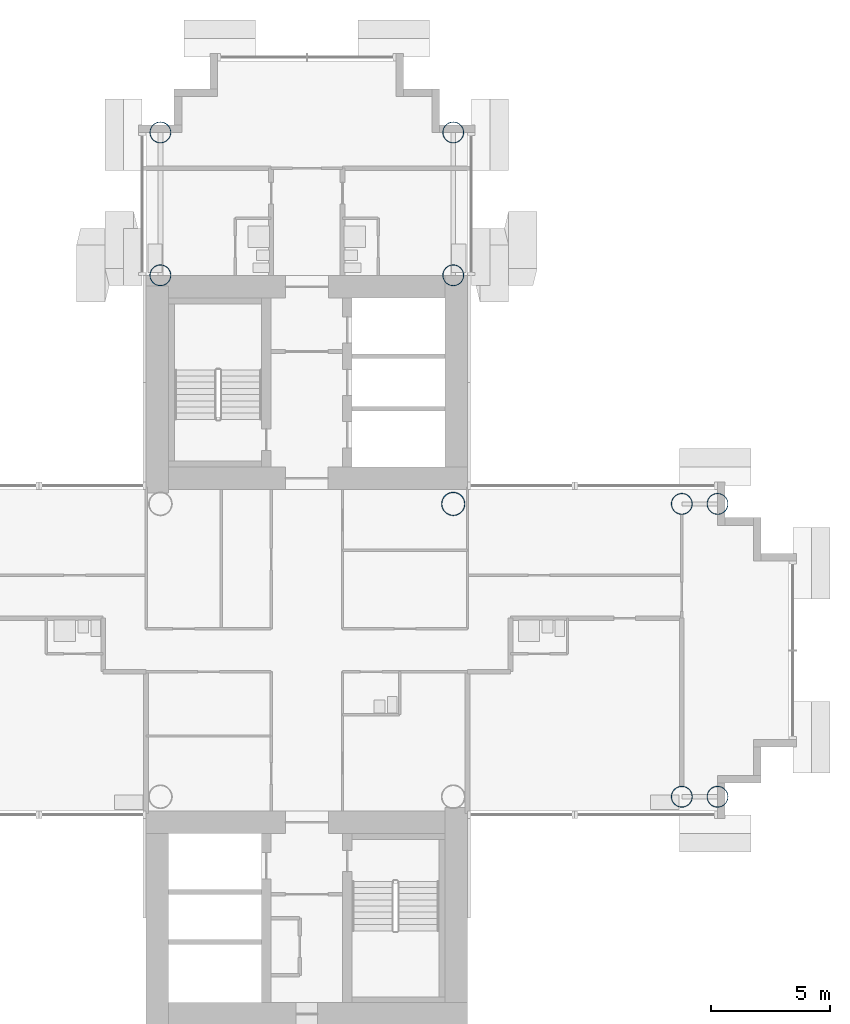
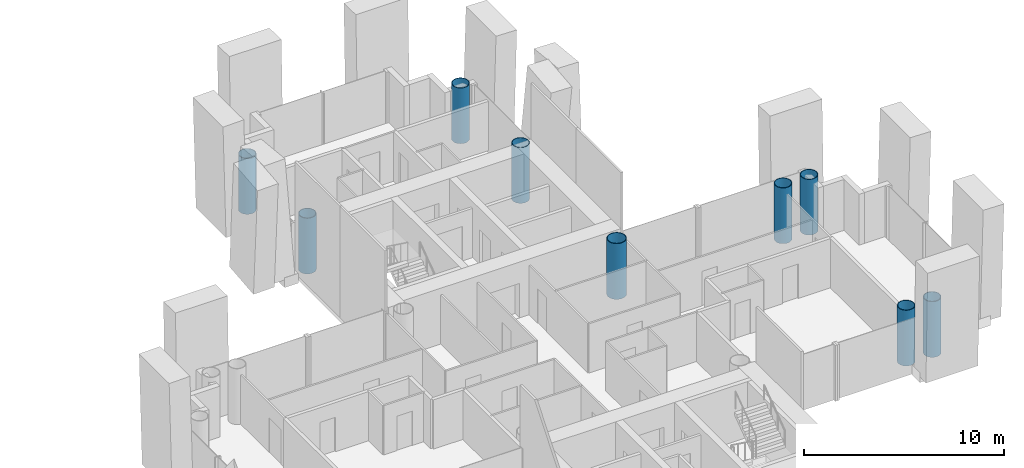
# One storey, part 2 of 20: 9 columns.
"""IFC4 building model written with IfcOpenShell, lengths in metres."""

import ifcopenshell
import ifcopenshell.guid

model = None  # the IFC model being written
_history = None  # IfcOwnerHistory: only IFC2X3 demands one
_inside = {}  # id of a spatial element -> (the spatial element, [elements in it])
_under = {}  # id of a project, library or spatial element -> (it, [spatial elements below it])
_declared = {}  # id of a project -> (the project, [libraries it declares])
_typed = {}  # id of a type object -> (the type object, [elements of that type])
_made_of = {}  # id of a material, layer set ... -> (it, [elements and type objects made of it])


def new_model(schema):
    """Start an empty IFC model of exactly this schema.

    Asked for "IFC4X3", IfcOpenShell would pick the latest addendum, in which some entities
    have other attributes; the version numbers below select the first issue.
    IFC2X3 requires an IfcOwnerHistory on every rooted entity: one is made here for all.
    """
    global model, _history
    if schema == "IFC4X3":
        model = ifcopenshell.file(schema_version=(4, 3, 0, 0))
    else:
        model = ifcopenshell.file(schema=schema)
    _inside.clear()
    _under.clear()
    _declared.clear()
    _typed.clear()
    _made_of.clear()
    _history = None
    if model.schema == "IFC2X3":
        org = make("IfcOrganization", Name="unknown")
        user = make(
            "IfcPersonAndOrganization",
            ThePerson=make("IfcPerson", FamilyName="unknown"),
            TheOrganization=org,
        )
        app = make(
            "IfcApplication",
            ApplicationDeveloper=org,
            Version="unknown",
            ApplicationFullName="unknown",
            ApplicationIdentifier="unknown",
        )
        _history = make(
            "IfcOwnerHistory",
            OwningUser=user,
            OwningApplication=app,
            ChangeAction="ADDED",
            CreationDate=0,
        )
    return model


def make(cls, **values):
    """One entity of the class cls with the attributes given. An attribute that is None is left unset."""
    return model.create_entity(
        cls, **{name: value for name, value in values.items() if value is not None}
    )


def rooted(cls, **values):
    """An entity with a GlobalId (a new one), such as an element, a storey or a relation."""
    return make(cls, GlobalId=ifcopenshell.guid.new(), OwnerHistory=_history, **values)


def si_unit(unit_type, name, prefix=None):
    """IfcSIUnit, for example si_unit("LENGTHUNIT", "METRE", prefix="MILLI")."""
    return make("IfcSIUnit", UnitType=unit_type, Prefix=prefix, Name=name)


def assignment(units):
    """IfcUnitAssignment: the units of a project."""
    return None if units is None else make("IfcUnitAssignment", Units=units)


def point(xyz):
    """IfcCartesianPoint."""
    return None if xyz is None else make("IfcCartesianPoint", Coordinates=xyz)


def direction(xyz):
    """IfcDirection."""
    return None if xyz is None else make("IfcDirection", DirectionRatios=xyz)


def frame(location, z_axis=None, x_axis=None):
    """IfcAxis2Placement3D, a coordinate frame: its origin and axes. An axis left out is left unset."""
    return make(
        "IfcAxis2Placement3D",
        Location=point(location),
        Axis=direction(z_axis),
        RefDirection=direction(x_axis),
    )


def frame_2d(location, x_axis=None):
    """IfcAxis2Placement2D, a coordinate frame in the plane: its origin and x axis."""
    return make(
        "IfcAxis2Placement2D", Location=point(location), RefDirection=direction(x_axis)
    )


def origin():
    """The frame at (0, 0, 0) with its axes left unset."""
    return frame((0.0, 0.0, 0.0))


def origin_2d():
    """The frame at (0, 0) in the plane with its x axis left unset."""
    return frame_2d((0.0, 0.0))


def place(relative_to, where):
    """IfcLocalPlacement: puts the frame where relative to a parent placement (None: the world)."""
    return make(
        "IfcLocalPlacement", PlacementRelTo=relative_to, RelativePlacement=where
    )


def context(
    kind, dimensions, precision=None, world=None, true_north=None, identifier=None
):
    """IfcGeometricRepresentationContext, for example the 3D "Model" context."""
    return make(
        "IfcGeometricRepresentationContext",
        ContextIdentifier=identifier,
        ContextType=kind,
        CoordinateSpaceDimension=dimensions,
        Precision=precision,
        WorldCoordinateSystem=world,
        TrueNorth=true_north,
    )


def subcontext(parent, identifier, kind, view, scale=None):
    """IfcGeometricRepresentationSubContext, for example "Body" below "Model"."""
    return make(
        "IfcGeometricRepresentationSubContext",
        ContextIdentifier=identifier,
        ContextType=kind,
        ParentContext=parent,
        TargetScale=scale,
        TargetView=view,
    )


def project(units=None, contexts=None):
    """IfcProject with its units and contexts."""
    return rooted(
        "IfcProject",
        Name="project",
        RepresentationContexts=contexts,
        UnitsInContext=assignment(units),
    )


def spatial(cls, under=None, at=None, **own):
    """A site, building, storey or space (cls), placed at a placement, below another one or the project."""
    s = rooted(cls, ObjectPlacement=at, **own)
    if under is not None:
        _under.setdefault(under.id(), (under, []))[1].append(s)
    return s


def profile(cls, at=None, kind="AREA", **sizes):
    """A parametric profile (cls). Its sizes go by their IFC names, for example OverallWidth=200.0."""
    return make(cls, ProfileType=kind, Position=at, **sizes)


def hollow_circle(**sizes):
    """IfcCircleHollowProfileDef."""
    return profile("IfcCircleHollowProfileDef", **sizes)


def extrude(swept, where, along, depth):
    """IfcExtrudedAreaSolid: the profile swept, set in the frame where, extruded along a direction by depth."""
    return make(
        "IfcExtrudedAreaSolid",
        SweptArea=swept,
        Position=where,
        ExtrudedDirection=direction(along),
        Depth=depth,
    )


def shape(context_of_items, identifier, shape_type, items):
    """IfcShapeRepresentation: the items that make up one representation, for example the "Body"."""
    return make(
        "IfcShapeRepresentation",
        ContextOfItems=context_of_items,
        RepresentationIdentifier=identifier,
        RepresentationType=shape_type,
        Items=items,
    )


def material(Name=None, Category=None):
    """IfcMaterial."""
    return make("IfcMaterial", Name=Name, Category=Category)


def material_profile(
    of_material, cross_section, Name=None, Category=None, Priority=None
):
    """IfcMaterialProfile: a cross section and its material."""
    return make(
        "IfcMaterialProfile",
        Name=Name,
        Material=of_material,
        Profile=cross_section,
        Priority=Priority,
        Category=Category,
    )


def profile_set(profiles, Name=None, composite=None):
    """IfcMaterialProfileSet."""
    return make(
        "IfcMaterialProfileSet",
        Name=Name,
        MaterialProfiles=profiles,
        CompositeProfile=composite,
    )


def made_of(thing, what):
    """Note that an element or type object is made of a material, layer set ...; save() writes the relation."""
    if what is not None:
        _made_of.setdefault(what.id(), (what, []))[1].append(thing)
    return thing


def type_object(cls, material=None, **own):
    """A type object (cls), such as IfcWallType, which elements share."""
    return made_of(rooted(cls, **own), material)


def element(
    cls,
    number,
    at=None,
    inside=None,
    cuts=None,
    type_object=None,
    material=None,
    context=None,
    identifier="Body",
    shape_type=None,
    held_by="IfcProductDefinitionShape",
    body=None,
    shapes=None,
    **own,
):
    """One element of the class cls, such as IfcWall. Its Tag is "e" and its number.

    at: its placement. inside: the storey or other place that contains it. cuts: it is an
    opening in that element (IfcRelVoidsElement). A single representation is given by context,
    identifier, shape_type and body (its items); several are given by shapes. held_by: the class
    of the entity that holds the representations. save() writes the other relations.
    """
    e = rooted(cls, Tag="e%d" % number, ObjectPlacement=at, **own)
    if body is not None:
        shapes = [shape(context, identifier, shape_type, body)]
    if shapes is not None:
        e.Representation = make(held_by, Representations=shapes)
    if inside is not None:
        _inside.setdefault(inside.id(), (inside, []))[1].append(e)
    if cuts is not None:
        rooted(
            "IfcRelVoidsElement", RelatingBuildingElement=cuts, RelatedOpeningElement=e
        )
    if type_object is not None:
        _typed.setdefault(type_object.id(), (type_object, []))[1].append(e)
    return made_of(e, material)


def aggregate(whole, parts):
    """IfcRelAggregates: a whole, such as a stair, and the parts it consists of."""
    return rooted("IfcRelAggregates", RelatingObject=whole, RelatedObjects=parts)


def save(model, path):
    """Write the relations noted so far, then the file.

    IfcRelAggregates (storeys below a building ...), IfcRelContainedInSpatialStructure (elements
    in a storey), IfcRelDefinesByType, IfcRelAssociatesMaterial and IfcRelDeclares: one each for
    every whole, place, type object, material and project.
    """
    for whole, parts in _under.values():
        aggregate(whole, parts)
    for where, things in _inside.values():
        rooted(
            "IfcRelContainedInSpatialStructure",
            RelatedElements=things,
            RelatingStructure=where,
        )
    for kind, things in _typed.values():
        rooted("IfcRelDefinesByType", RelatedObjects=things, RelatingType=kind)
    for what, things in _made_of.values():
        rooted("IfcRelAssociatesMaterial", RelatedObjects=things, RelatingMaterial=what)
    for by, libraries in _declared.values():
        rooted("IfcRelDeclares", RelatingContext=by, RelatedDefinitions=libraries)
    model.write(path)


model = new_model("IFC4")

# Units and contexts
model_context = context("Model", 3, precision=1e-05, world=origin(), true_north=direction((0.0, 1.0)))
body_context = subcontext(model_context, "Body", "Model", "MODEL_VIEW")
ifc_project = project(units=[si_unit("LENGTHUNIT", "METRE"), si_unit("AREAUNIT", "SQUARE_METRE"), si_unit("VOLUMEUNIT", "CUBIC_METRE"), si_unit("PLANEANGLEUNIT", "RADIAN"), si_unit("MASSUNIT", "GRAM", prefix="KILO")], contexts=[model_context])

# Site, building, storey
site_placement = place(None, origin())
site = spatial("IfcSite", under=ifc_project, at=site_placement, CompositionType="ELEMENT")
building_placement = place(site_placement, origin())
building = spatial("IfcBuilding", under=site, at=building_placement, Name="Ipe Terrace Towers", CompositionType="ELEMENT")
storey_placement = place(building_placement, frame((0.0, 0.0, 100.39990234375)))
storey = spatial("IfcBuildingStorey", under=building, at=storey_placement, Name="L27", CompositionType="ELEMENT", Elevation=100.39990234375)

# Columns
ifc_material_1 = material(Name="Steel S355 tube with Concrete C60/75 fill", Category="concrete")
ifc_material_profile_1 = material_profile(ifc_material_1, hollow_circle(Radius=0.5, WallThickness=0.035888671875, at=origin_2d()), Name="CHS-1000x36")
ifc_profile_set_1 = profile_set([ifc_material_profile_1], Name="Steel S355 tube with Concrete C60/75 fill")
column_type_1 = type_object("IfcColumnType", Name="CH01 COLUMN CHS-1000x36", PredefinedType="COLUMN", material=ifc_profile_set_1)
column_placement = place(storey_placement, frame((42.14990234375, 6.14990234375, 0.0), z_axis=(0.0, 0.0, 1.0), x_axis=(1.0, 0.0, 0.0)))
element("IfcColumn", 1, at=column_placement, inside=storey, type_object=column_type_1, Name="Column T2-C-E02", PredefinedType="COLUMN", context=body_context, shape_type="SweptSolid", body=[
    extrude(hollow_circle(Radius=0.5, WallThickness=0.035888671875, at=origin_2d()), origin(), (0.0, 0.0, 1.0), 3.400146484375),
])
ifc_material_2 = material(Name="Steel S355 tube with Concrete C60/75 fill", Category="concrete")
ifc_material_profile_2 = material_profile(ifc_material_2, hollow_circle(Radius=0.449951171875, WallThickness=0.031982421875, at=origin_2d()), Name="CHS-900x32")
ifc_profile_set_2 = profile_set([ifc_material_profile_2], Name="Steel S355 tube with Concrete C60/75 fill")
column_type_2 = type_object("IfcColumnType", Name="CH10 COLUMN CHS-900x32", PredefinedType="COLUMN", material=ifc_profile_set_2)
for number, where, z_axis, x_axis, name in (
    (2, (42.14990234375, 15.75, 0.0), (0.0, 0.0, 1.0), (1.0, 0.0, 0.0), "Column T2-C-A01"),
    (3, (29.85009765625, 15.75, 0.0), (0.0, 0.0, 1.0), (1.0, 0.0, 0.0), "Column T2-C-A02"),
    (4, (42.14990234375, 21.75, 0.0), (0.0, 0.0, 1.0), (1.0, 0.0, 0.0), "Column T2-C-A03"),
    (5, (29.85009765625, 21.75, 0.0), (0.0, 0.0, 1.0), (1.0, 0.0, 0.0), "Column T2-C-A04"),
    (6, (51.75, -6.14990234375, 0.0), (0.0, 0.0, 1.0), (1.0, 0.0, 0.0), "Column T2-C-D03"),
    (7, (51.75, 6.14990234375, 0.0), (0.0, 0.0, 1.0), (1.0, 0.0, 0.0), "Column T2-C-D04"),
    (8, (53.25, -6.14990234375, 0.0), (0.0, 0.0, 1.0), (1.0, 0.0, 0.0), "Column T2-C-D05"),
    (9, (53.25, 6.14990234375, 0.0), (0.0, 0.0, 1.0), (1.0, 0.0, 0.0), "Column T2-C-D06"),
):
    element("IfcColumn", number, at=place(storey_placement, frame(where, z_axis=z_axis, x_axis=x_axis)), inside=storey, type_object=column_type_2, Name=name, PredefinedType="COLUMN", context=body_context, shape_type="SweptSolid", body=[
        extrude(hollow_circle(Radius=0.449951171875, WallThickness=0.031982421875, at=origin_2d()), origin(), (0.0, 0.0, 1.0), 3.400146484375),
    ])

save(model, "model.ifc")
